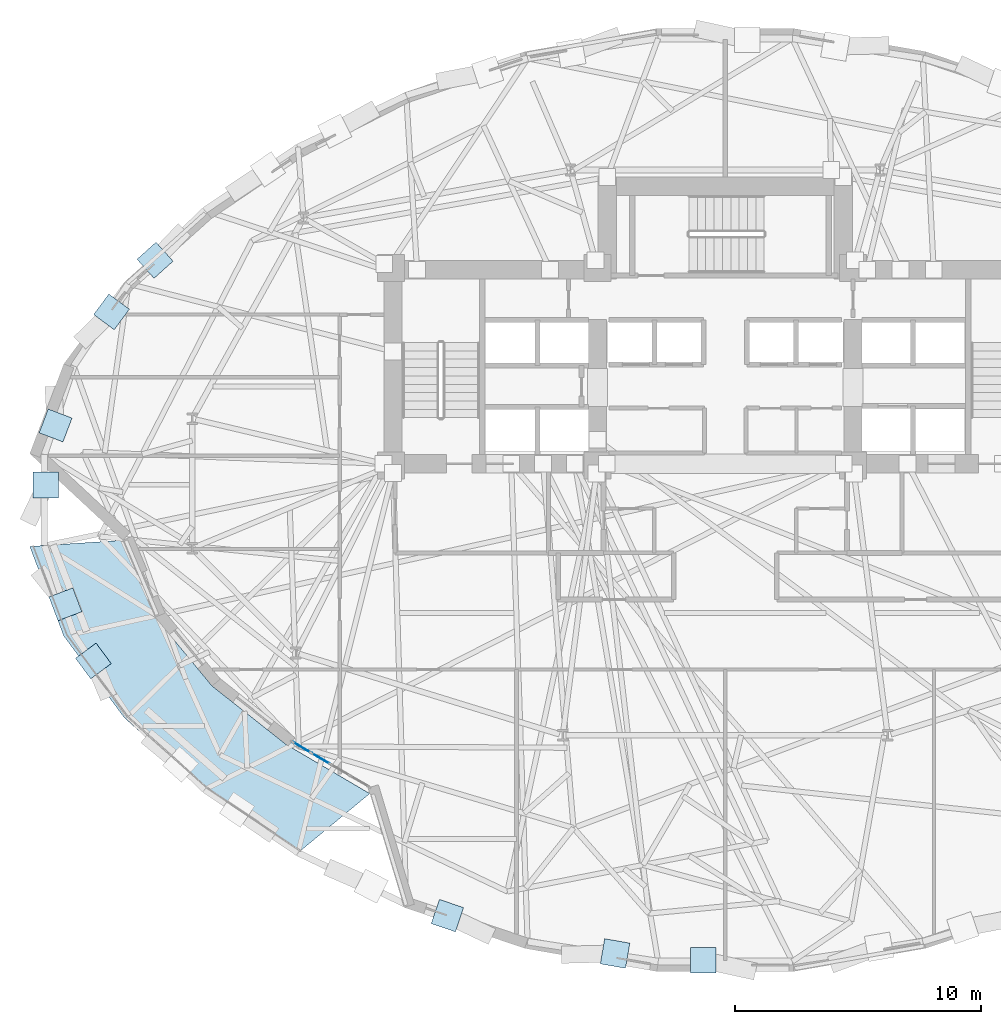
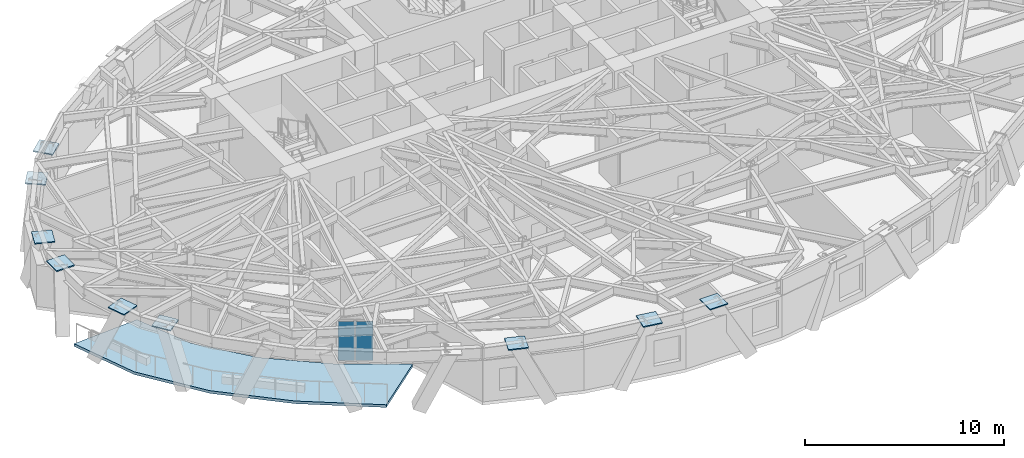
# One storey, part 7 of 17: 11 plates, 1 slab, 1 element without a shape of its own.
"""IFC4 building model written with IfcOpenShell, lengths in metres."""

from ifc_helpers import new_model, si_unit, direction, frame, origin, origin_2d, place, context, subcontext, project, spatial, polyline, rectangle, outline, extrude, material, layer, layer_set, type_object, element, aggregate, save


model = new_model("IFC4")

# Units and contexts
model_context = context("Model", 3, precision=1e-05, world=origin(), true_north=direction((0.0, 1.0)))
body_context = subcontext(model_context, "Body", "Model", "MODEL_VIEW")
ifc_project = project(units=[si_unit("LENGTHUNIT", "METRE"), si_unit("AREAUNIT", "SQUARE_METRE"), si_unit("VOLUMEUNIT", "CUBIC_METRE"), si_unit("PLANEANGLEUNIT", "RADIAN"), si_unit("MASSUNIT", "GRAM", prefix="KILO")], contexts=[model_context])

# Site, building, storey
site_placement = place(None, origin())
site = spatial("IfcSite", under=ifc_project, at=site_placement, CompositionType="ELEMENT")
building_placement = place(site_placement, origin())
building = spatial("IfcBuilding", under=site, at=building_placement, Name="Keldmark Tower", CompositionType="ELEMENT")
storey_placement = place(building_placement, frame((0.0, 0.0, 96.60009765625)))
storey = spatial("IfcBuildingStorey", under=building, at=storey_placement, Name="L25", CompositionType="ELEMENT", Elevation=96.60009765625)

# Plates
ifc_material_1 = material(Name="Steel ASTM A572 Grade 50", Category="steel")
ifc_layer_1 = layer(ifc_material_1, 0.06494140625)
ifc_layer_set_1 = layer_set([ifc_layer_1], Name="Steel ASTM A572 Grade 50")
plate_type_1 = type_object("IfcPlateType", Name="Diagrid Node Assembly DN02 65 mm", PredefinedType="USERDEFINED", material=ifc_layer_set_1)
for number, where, z_axis, x_axis, name in (
    (1, (-23.212158203125, 9.759765625, 3.157470703125), (0.0, 0.0, 1.0), (-0.743845129807, -0.668352020168, 0.0), "L25 Diagrid Node Assembly 13"),
    (2, (-24.9833984375, 7.657958984375, 3.157470703125), (0.0, 0.0, 1.0), (-0.594822786751, -0.803856860617, 0.0), "L25 Diagrid Node Assembly 14"),
    (3, (-27.260498046875, 3.0341796875, 3.157470703125), (0.0, 0.0, 1.0), (-0.355433256487, -0.934701663732, 0.0), "L25 Diagrid Node Assembly 15"),
    (4, (-27.656005859375, 0.61083984375, 3.157470703125), (0.0, 0.0, 1.0), (0.0, -1.0, 0.0), "L25 Diagrid Node Assembly 16"),
    (5, (-26.860595703125, -4.2470703125, 3.157470703125), (0.0, 0.0, 1.0), (0.355433256487, -0.934701663732, 0.0), "L25 Diagrid Node Assembly 17"),
    (6, (-25.721923828125, -6.552734375, 3.157470703125), (0.0, 0.0, 1.0), (0.594822786751, -0.803856860617, 0.0), "L25 Diagrid Node Assembly 18"),
    (7, (-11.31005859375, -16.9189453125, 3.157470703125), (0.0, 0.0, 1.0), (0.946761694389, -0.321935232675, 0.0), "L25 Diagrid Node Assembly 22"),
    (8, (-4.484375, -18.46142578125, 3.157470703125), (0.0, 0.0, 1.0), (0.985079303862, -0.172101031672, 0.0), "L25 Diagrid Node Assembly 23"),
    (9, (-0.904052734375, -18.728759765625, 3.157470703125), (0.0, 0.0, 1.0), (1.0, 0.0, 0.0), "L25 Diagrid Node Assembly 24"),
):
    element("IfcPlate", number, at=place(storey_placement, frame(where, z_axis=z_axis, x_axis=x_axis)), inside=storey, type_object=plate_type_1, Name=name, ObjectType="GUSSET", PredefinedType="USERDEFINED", context=body_context, shape_type="SweptSolid", body=[
        extrude(rectangle(XDim=1.0400390625, YDim=1.0400390625, at=origin_2d()), origin(), (0.0, 0.0, 1.0), 0.06494140625),
    ])

# Slab
ifc_material_2 = material(Name="Concrete C35/45", Category="concrete")
ifc_layer_2 = layer(ifc_material_2, 0.1650390625)
ifc_layer_set_2 = layer_set([ifc_layer_2], Name="Concrete C35/45")
slab_type = type_object("IfcSlabType", Name="Planted Sky-Garden Terrace Slab 165 mm", PredefinedType="ROOF", material=ifc_layer_set_2)
slab_placement = place(storey_placement, frame((0.0, 0.0, -0.1650390625)))
element("IfcSlab", 10, at=slab_placement, inside=storey, type_object=slab_type, Name="Planted Sky-Garden Terrace Slab", PredefinedType="ROOF", context=body_context, shape_type="SweptSolid", body=[
    extrude(outline(polyline([(-28.312744140625, -1.890380859375), (-26.926025390625, -5.53662109375), (-24.4638671875, -8.864013671875), (-21.20166015625, -11.794677734375), (-17.399658203125, -14.371826171875), (-14.469970703125, -11.951904296875), (-17.880859375, -9.947265625), (-20.89111328125, -7.5693359375), (-23.2041015625, -4.771240234375), (-24.52099609375, -1.63720703125), (-28.312744140625, -1.890380859375)])), origin(), (0.0, 0.0, 1.0), 0.1650390625),
])

# Curtain wall, plates
ifc_material_3 = material(Name="Unitized Thermally Broken Aluminum and Triple Low-E Glazing", Category="aluminium")
ifc_layer_3 = layer(ifc_material_3, 0.219970703125)
ifc_layer_set_3 = layer_set([ifc_layer_3], Name="Unitized Thermally Broken Aluminum and Triple Low-E Glazing")
curtain_wall_type = type_object("IfcCurtainWallType", Name="Spiralling Sky-Garden Feature Curtain Wall System", PredefinedType="NOTDEFINED", material=ifc_layer_set_3)
curtain_wall_placement = place(storey_placement, origin())
curtain_wall = element("IfcCurtainWall", 11, at=curtain_wall_placement, inside=storey, type_object=curtain_wall_type, Name="L25 Spiralling Sky-Garden Feature Curtain Wall System CW-L25-20", PredefinedType="NOTDEFINED")
ifc_material_4 = material(Name="Triple Silver Low-E Insulated Glass Unit", Category="glass")
ifc_layer_4 = layer(ifc_material_4, 0.035888671875)
ifc_layer_set_4 = layer_set([ifc_layer_4], Name="Triple Silver Low-E Insulated Glass Unit")
plate_type_2 = type_object("IfcPlateType", Name="Triple Low-E Vision Glazing Panel 36 mm", PredefinedType="CURTAIN_PANEL", material=ifc_layer_set_4)
plate_1_placement = place(storey_placement, frame((-16.460205078125, -10.527099609375, 0.06005859375), z_axis=(0.0, 0.0, 1.0), x_axis=(-0.862144612034, 0.506662281941, 0.0)))
plate_1 = element("IfcPlate", 12, at=plate_1_placement, type_object=plate_type_2, Name="CW panel 3.1", PredefinedType="CURTAIN_PANEL", context=body_context, shape_type="SweptSolid", body=[
    extrude(rectangle(XDim=0.859130859375, YDim=0.035888671875, at=origin_2d()), origin(), (0.0, 0.0, 1.0), 2.407958984375),
])
plate_2_placement = place(storey_placement, frame((-17.239501953125, -10.06884765625, 0.06005859375), z_axis=(0.0, 0.0, 1.0), x_axis=(-0.862144612034, 0.506662281941, 0.0)))
plate_2 = element("IfcPlate", 13, at=plate_2_placement, type_object=plate_type_2, Name="CW panel 4.1", PredefinedType="CURTAIN_PANEL", context=body_context, shape_type="SweptSolid", body=[
    extrude(rectangle(XDim=0.8291015625, YDim=0.035888671875, at=origin_2d()), origin(), (0.0, 0.0, 1.0), 2.407958984375),
])
aggregate(curtain_wall, [plate_1, plate_2])

save(model, "model.ifc")
